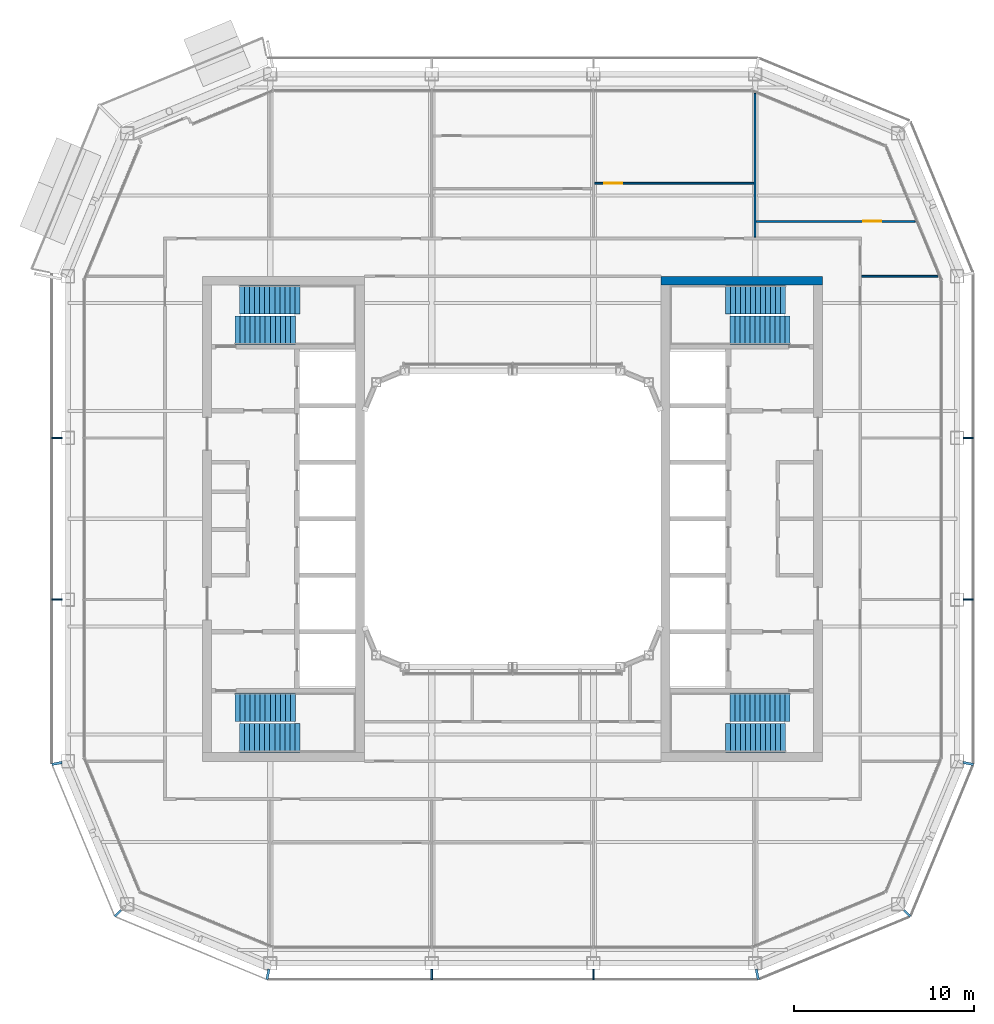
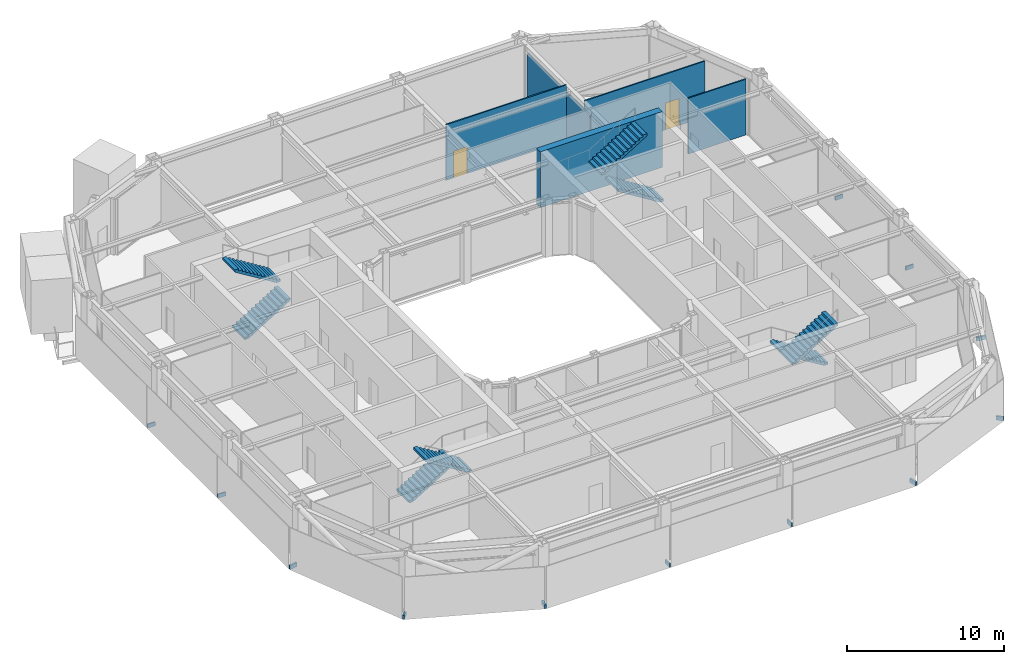
# One storey, part 14 of 21: 12 discrete accessories, 8 stair flights, 5 walls, 2 doors, 2 openings, 4 elements without a shape of their own.
"""IFC4 building model written with IfcOpenShell, lengths in metres."""

from ifc_helpers import new_model, si_unit, direction, frame, frame_2d, origin, origin_2d, place, context, subcontext, project, spatial, polyline, rectangle, outline, extrude, material, layer, layer_set, type_object, element, fill, aggregate, save


model = new_model("IFC4")

# Units and contexts
model_context = context("Model", 3, precision=1e-05, world=origin(), true_north=direction((0.0, 1.0)))
body_context = subcontext(model_context, "Body", "Model", "MODEL_VIEW")
ifc_project = project(units=[si_unit("LENGTHUNIT", "METRE"), si_unit("AREAUNIT", "SQUARE_METRE"), si_unit("VOLUMEUNIT", "CUBIC_METRE"), si_unit("PLANEANGLEUNIT", "RADIAN"), si_unit("MASSUNIT", "GRAM", prefix="KILO")], contexts=[model_context])

# Site, building, storey
site_placement = place(None, origin())
site = spatial("IfcSite", under=ifc_project, at=site_placement, CompositionType="ELEMENT")
building_placement = place(site_placement, origin())
building = spatial("IfcBuilding", under=site, at=building_placement, Name="Siwar Civic Tower", CompositionType="ELEMENT")
storey_placement = place(building_placement, frame((0.0, 0.0, 312.199951171875)))
storey = spatial("IfcBuildingStorey", under=building, at=storey_placement, Name="L67", CompositionType="ELEMENT", Elevation=312.199951171875)

# Walls
ifc_material_1 = material(Name="Concrete C60/75", Category="concrete")
ifc_layer_1 = layer(ifc_material_1, 0.5)
ifc_layer_set_1 = layer_set([ifc_layer_1], Name="Concrete C60/75")
wall_type_1 = type_object("IfcWallType", Name="CORE-WALL-RC500", PredefinedType="SHEAR", material=ifc_layer_set_1)
wall_1_placement = place(storey_placement, frame((8.25, 13.25, 0.0), z_axis=(0.0, 0.0, 1.0), x_axis=(1.0, 0.0, 0.0)))
element("IfcWall", 1, at=wall_1_placement, inside=storey, type_object=wall_type_1, Name="Core wall E", PredefinedType="SHEAR", context=body_context, shape_type="SweptSolid", body=[
    extrude(rectangle(XDim=9.0, YDim=0.5, at=frame_2d((4.5, 0.0))), origin(), (0.0, 0.0, 1.0), 4.35009765625),
])
ifc_material_2 = material(Name="Gypsum board on steel studs", Category="steel")
ifc_layer_2 = layer(ifc_material_2, 0.10009765625)
ifc_layer_set_2 = layer_set([ifc_layer_2], Name="Gypsum board on steel studs")
wall_type_2 = type_object("IfcWallType", Name="PARTITION 100 GYPSUM", PredefinedType="PARTITIONING", material=ifc_layer_set_2)
wall_2_placement = place(storey_placement, frame((19.425048828125, 13.5, 0.0), z_axis=(0.0, 0.0, 1.0), x_axis=(1.0, 0.0, 0.0)))
element("IfcWall", 2, at=wall_2_placement, inside=storey, type_object=wall_type_2, Name="L67/wall/P13", PredefinedType="PARTITIONING", context=body_context, shape_type="SweptSolid", body=[
    extrude(rectangle(XDim=4.2529296875, YDim=0.10009765625, at=frame_2d((2.12646484375, 0.0))), origin(), (0.0, 0.0, 1.0), 4.35009765625),
])

# Wall, opening, door
wall_3_placement = place(storey_placement, frame((13.550048828125, 16.552978515625, 0.0), z_axis=(0.0, 0.0, 1.0), x_axis=(1.0, 0.0, 0.0)))
wall_3 = element("IfcWall", 3, at=wall_3_placement, inside=storey, type_object=wall_type_2, Name="L67/wall/P16", PredefinedType="PARTITIONING", context=body_context, shape_type="SweptSolid", body=[
    extrude(rectangle(XDim=8.863037109375, YDim=0.10009765625, at=frame_2d((4.431640625, 0.0))), origin(), (0.0, 0.0, 1.0), 4.35009765625),
])
opening_1_placement = place(wall_3_placement, frame((5.962890625, 0.0, 0.0)))
opening_1 = element("IfcOpeningElement", 4, at=opening_1_placement, cuts=wall_3, Name="Opening D2", PredefinedType="OPENING", context=body_context, shape_type="SweptSolid", body=[
    extrude(rectangle(XDim=1.0, YDim=2.10009765625, at=frame_2d((0.5, 1.050048828125))), frame((0.0, 0.06005859375, 0.0), z_axis=(0.0, -1.0, 0.0), x_axis=(1.0, 0.0, 0.0)), (0.0, 0.0, 1.0), 0.1201171875),
])
ifc_material_3 = material(Name="Timber, painted", Category="wood")
door_type = type_object("IfcDoorType", Name="DOOR 1000 X 2100", OperationType="SINGLE_SWING_LEFT", PredefinedType="DOOR", material=ifc_material_3)
door_1_placement = place(opening_1_placement, origin())
door_1 = element("IfcDoor", 5, at=door_1_placement, inside=storey, type_object=door_type, Name="L67-D14", OperationType="SINGLE_SWING_LEFT", OverallHeight=2.10009765625, OverallWidth=1.0, PredefinedType="DOOR", context=body_context, shape_type="SweptSolid", body=[
    extrude(rectangle(XDim=1.0, YDim=2.10009765625, at=frame_2d((0.5, 1.050048828125))), frame((0.0, 0.02490234375, 0.0), z_axis=(0.0, -1.0, 0.0), x_axis=(1.0, 0.0, 0.0)), (0.0, 0.0, 1.0), 0.050048828125),
])
fill(opening_1, door_1)

wall_4_placement = place(storey_placement, frame((4.550048828125, 18.679931640625, 0.0), z_axis=(0.0, 0.0, 1.0), x_axis=(1.0, 0.0, 0.0)))
wall_4 = element("IfcWall", 6, at=wall_4_placement, inside=storey, type_object=wall_type_2, Name="L67/wall/P18", PredefinedType="PARTITIONING", context=body_context, shape_type="SweptSolid", body=[
    extrude(rectangle(XDim=8.89990234375, YDim=0.10009765625, at=frame_2d((4.449951171875, 0.0))), origin(), (0.0, 0.0, 1.0), 4.35009765625),
])
opening_2_placement = place(wall_4_placement, frame((0.550048828125, 0.0, 0.0)))
opening_2 = element("IfcOpeningElement", 7, at=opening_2_placement, cuts=wall_4, Name="Opening D2", PredefinedType="OPENING", context=body_context, shape_type="SweptSolid", body=[
    extrude(rectangle(XDim=1.0, YDim=2.10009765625, at=frame_2d((0.5, 1.050048828125))), frame((0.0, 0.06005859375, 0.0), z_axis=(0.0, -1.0, 0.0), x_axis=(1.0, 0.0, 0.0)), (0.0, 0.0, 1.0), 0.1201171875),
])
door_2_placement = place(opening_2_placement, origin())
door_2 = element("IfcDoor", 8, at=door_2_placement, inside=storey, type_object=door_type, Name="L67-D06", OperationType="SINGLE_SWING_RIGHT", OverallHeight=2.10009765625, OverallWidth=1.0, PredefinedType="DOOR", context=body_context, shape_type="SweptSolid", body=[
    extrude(rectangle(XDim=1.0, YDim=2.10009765625, at=frame_2d((0.5, 1.050048828125))), frame((0.0, 0.02490234375, 0.0), z_axis=(0.0, -1.0, 0.0), x_axis=(1.0, 0.0, 0.0)), (0.0, 0.0, 1.0), 0.050048828125),
])
fill(opening_2, door_2)

# Wall
wall_5_placement = place(storey_placement, frame((13.5, 15.675048828125, 0.0), z_axis=(0.0, 0.0, 1.0), x_axis=(0.0, 1.0, 0.0)))
element("IfcWall", 9, at=wall_5_placement, inside=storey, type_object=wall_type_2, Name="L67/wall/P32", PredefinedType="PARTITIONING", context=body_context, shape_type="SweptSolid", body=[
    extrude(rectangle(XDim=8.0029296875, YDim=0.10009765625, at=frame_2d((4.00146484375, 0.0))), origin(), (0.0, 0.0, 1.0), 3.75),
])

# Stair, stair flights
ifc_material_4 = material(Name="Concrete C40/50", Category="concrete")
stair_type = type_object("IfcStairType", Name="CORE-STAIR", PredefinedType="TWO_STRAIGHT_RUN_STAIR", material=ifc_material_4)
stair_1_placement = place(storey_placement, origin())
stair_1 = element("IfcStair", 10, at=stair_1_placement, inside=storey, type_object=stair_type, Name="Exit stair ST1", PredefinedType="TWO_STRAIGHT_RUN_STAIR")
ifc_material_5 = material(Name="Concrete C40/50", Category="concrete")
stair_flight_type = type_object("IfcStairFlightType", Name="CORE-STAIR-FLIGHT", PredefinedType="STRAIGHT", material=ifc_material_5)
stair_flight_1_placement = place(storey_placement, frame((-15.449951171875, 10.5, 0.0), z_axis=(0.0, 0.0, 1.0), x_axis=(1.0, 0.0, 0.0)))
stair_flight_1 = element("IfcStairFlight", 11, at=stair_flight_1_placement, type_object=stair_flight_type, Name="ST1 flight 1", NumberOfRisers=13, NumberOfTreads=12, PredefinedType="STRAIGHT", RiserHeight=0.173076923, TreadLength=0.28, context=body_context, shape_type="SweptSolid", body=[
    extrude(outline(polyline([(0.0, 0.0), (0.0, 0.173095703125), (0.280029296875, 0.173095703125), (0.280029296875, 0.34619140625), (0.56005859375, 0.34619140625), (0.56005859375, 0.519287109375), (0.840087890625, 0.519287109375), (0.840087890625, 0.6923828125), (1.1201171875, 0.6923828125), (1.1201171875, 0.865478515625), (1.39990234375, 0.865478515625), (1.39990234375, 1.03857421875), (1.679931640625, 1.03857421875), (1.679931640625, 1.21142578125), (1.9599609375, 1.21142578125), (1.9599609375, 1.384521484375), (2.239990234375, 1.384521484375), (2.239990234375, 1.5576171875), (2.52001953125, 1.5576171875), (2.52001953125, 1.730712890625), (2.800048828125, 1.730712890625), (2.800048828125, 1.90380859375), (3.080078125, 1.90380859375), (3.080078125, 2.076904296875), (3.360107421875, 2.076904296875), (3.360107421875, 2.25), (3.360107421875, 1.900634765625), (0.28515625, 0.0), (0.0, 0.0)])), frame((0.0, 0.800048828125, 0.0), z_axis=(0.0, -1.0, 0.0), x_axis=(1.0, 0.0, 0.0)), (0.0, 0.0, 1.0), 1.60009765625),
])
stair_flight_2_placement = place(storey_placement, frame((-11.840087890625, 12.199951171875, 2.25), z_axis=(0.0, 0.0, 1.0), x_axis=(-1.0, 0.0, 0.0)))
stair_flight_2 = element("IfcStairFlight", 12, at=stair_flight_2_placement, type_object=stair_flight_type, Name="ST1 flight 2", NumberOfRisers=13, NumberOfTreads=12, PredefinedType="STRAIGHT", RiserHeight=0.173076923, TreadLength=0.28, context=body_context, shape_type="SweptSolid", body=[
    extrude(outline(polyline([(0.0, 0.0), (0.0, 0.173095703125), (0.280029296875, 0.173095703125), (0.280029296875, 0.34619140625), (0.56005859375, 0.34619140625), (0.56005859375, 0.519287109375), (0.840087890625, 0.519287109375), (0.840087890625, 0.6923828125), (1.1201171875, 0.6923828125), (1.1201171875, 0.865478515625), (1.39990234375, 0.865478515625), (1.39990234375, 1.03857421875), (1.679931640625, 1.03857421875), (1.679931640625, 1.21142578125), (1.9599609375, 1.21142578125), (1.9599609375, 1.384521484375), (2.239990234375, 1.384521484375), (2.239990234375, 1.5576171875), (2.52001953125, 1.5576171875), (2.52001953125, 1.730712890625), (2.800048828125, 1.730712890625), (2.800048828125, 1.90380859375), (3.080078125, 1.90380859375), (3.080078125, 2.076904296875), (3.360107421875, 2.076904296875), (3.360107421875, 2.25), (3.360107421875, 1.900634765625), (0.28515625, 0.0), (0.0, 0.0)])), frame((0.0, 0.800048828125, 0.0), z_axis=(0.0, -1.0, 0.0), x_axis=(1.0, 0.0, 0.0)), (0.0, 0.0, 1.0), 1.60009765625),
])
aggregate(stair_1, [stair_flight_1, stair_flight_2])

stair_2_placement = place(storey_placement, origin())
stair_2 = element("IfcStair", 13, at=stair_2_placement, inside=storey, type_object=stair_type, Name="Exit stair ST2", PredefinedType="TWO_STRAIGHT_RUN_STAIR")
stair_flight_3_placement = place(storey_placement, frame((-15.449951171875, -10.5, 0.0), z_axis=(0.0, 0.0, 1.0), x_axis=(1.0, 0.0, 0.0)))
stair_flight_3 = element("IfcStairFlight", 14, at=stair_flight_3_placement, type_object=stair_flight_type, Name="ST2 flight 1", NumberOfRisers=13, NumberOfTreads=12, PredefinedType="STRAIGHT", RiserHeight=0.173076923, TreadLength=0.28, context=body_context, shape_type="SweptSolid", body=[
    extrude(outline(polyline([(0.0, 0.0), (0.0, 0.173095703125), (0.280029296875, 0.173095703125), (0.280029296875, 0.34619140625), (0.56005859375, 0.34619140625), (0.56005859375, 0.519287109375), (0.840087890625, 0.519287109375), (0.840087890625, 0.6923828125), (1.1201171875, 0.6923828125), (1.1201171875, 0.865478515625), (1.39990234375, 0.865478515625), (1.39990234375, 1.03857421875), (1.679931640625, 1.03857421875), (1.679931640625, 1.21142578125), (1.9599609375, 1.21142578125), (1.9599609375, 1.384521484375), (2.239990234375, 1.384521484375), (2.239990234375, 1.5576171875), (2.52001953125, 1.5576171875), (2.52001953125, 1.730712890625), (2.800048828125, 1.730712890625), (2.800048828125, 1.90380859375), (3.080078125, 1.90380859375), (3.080078125, 2.076904296875), (3.360107421875, 2.076904296875), (3.360107421875, 2.25), (3.360107421875, 1.900634765625), (0.28515625, 0.0), (0.0, 0.0)])), frame((0.0, 0.800048828125, 0.0), z_axis=(0.0, -1.0, 0.0), x_axis=(1.0, 0.0, 0.0)), (0.0, 0.0, 1.0), 1.60009765625),
])
stair_flight_4_placement = place(storey_placement, frame((-11.840087890625, -12.199951171875, 2.25), z_axis=(0.0, 0.0, 1.0), x_axis=(-1.0, 0.0, 0.0)))
stair_flight_4 = element("IfcStairFlight", 15, at=stair_flight_4_placement, type_object=stair_flight_type, Name="ST2 flight 2", NumberOfRisers=13, NumberOfTreads=12, PredefinedType="STRAIGHT", RiserHeight=0.173076923, TreadLength=0.28, context=body_context, shape_type="SweptSolid", body=[
    extrude(outline(polyline([(0.0, 0.0), (0.0, 0.173095703125), (0.280029296875, 0.173095703125), (0.280029296875, 0.34619140625), (0.56005859375, 0.34619140625), (0.56005859375, 0.519287109375), (0.840087890625, 0.519287109375), (0.840087890625, 0.6923828125), (1.1201171875, 0.6923828125), (1.1201171875, 0.865478515625), (1.39990234375, 0.865478515625), (1.39990234375, 1.03857421875), (1.679931640625, 1.03857421875), (1.679931640625, 1.21142578125), (1.9599609375, 1.21142578125), (1.9599609375, 1.384521484375), (2.239990234375, 1.384521484375), (2.239990234375, 1.5576171875), (2.52001953125, 1.5576171875), (2.52001953125, 1.730712890625), (2.800048828125, 1.730712890625), (2.800048828125, 1.90380859375), (3.080078125, 1.90380859375), (3.080078125, 2.076904296875), (3.360107421875, 2.076904296875), (3.360107421875, 2.25), (3.360107421875, 1.900634765625), (0.28515625, 0.0), (0.0, 0.0)])), frame((0.0, 0.800048828125, 0.0), z_axis=(0.0, -1.0, 0.0), x_axis=(1.0, 0.0, 0.0)), (0.0, 0.0, 1.0), 1.60009765625),
])
aggregate(stair_2, [stair_flight_3, stair_flight_4])

stair_3_placement = place(storey_placement, origin())
stair_3 = element("IfcStair", 16, at=stair_3_placement, inside=storey, type_object=stair_type, Name="Exit stair ST3", PredefinedType="TWO_STRAIGHT_RUN_STAIR")
stair_flight_5_placement = place(storey_placement, frame((15.449951171875, 10.5, 0.0), z_axis=(0.0, 0.0, 1.0), x_axis=(-1.0, 0.0, 0.0)))
stair_flight_5 = element("IfcStairFlight", 17, at=stair_flight_5_placement, type_object=stair_flight_type, Name="ST3 flight 1", NumberOfRisers=13, NumberOfTreads=12, PredefinedType="STRAIGHT", RiserHeight=0.173076923, TreadLength=0.28, context=body_context, shape_type="SweptSolid", body=[
    extrude(outline(polyline([(0.0, 0.0), (0.0, 0.173095703125), (0.280029296875, 0.173095703125), (0.280029296875, 0.34619140625), (0.56005859375, 0.34619140625), (0.56005859375, 0.519287109375), (0.840087890625, 0.519287109375), (0.840087890625, 0.6923828125), (1.1201171875, 0.6923828125), (1.1201171875, 0.865478515625), (1.39990234375, 0.865478515625), (1.39990234375, 1.03857421875), (1.679931640625, 1.03857421875), (1.679931640625, 1.21142578125), (1.9599609375, 1.21142578125), (1.9599609375, 1.384521484375), (2.239990234375, 1.384521484375), (2.239990234375, 1.5576171875), (2.52001953125, 1.5576171875), (2.52001953125, 1.730712890625), (2.800048828125, 1.730712890625), (2.800048828125, 1.90380859375), (3.080078125, 1.90380859375), (3.080078125, 2.076904296875), (3.360107421875, 2.076904296875), (3.360107421875, 2.25), (3.360107421875, 1.900634765625), (0.28515625, 0.0), (0.0, 0.0)])), frame((0.0, 0.800048828125, 0.0), z_axis=(0.0, -1.0, 0.0), x_axis=(1.0, 0.0, 0.0)), (0.0, 0.0, 1.0), 1.60009765625),
])
stair_flight_6_placement = place(storey_placement, frame((11.840087890625, 12.199951171875, 2.25), z_axis=(0.0, 0.0, 1.0), x_axis=(1.0, 0.0, 0.0)))
stair_flight_6 = element("IfcStairFlight", 18, at=stair_flight_6_placement, type_object=stair_flight_type, Name="ST3 flight 2", NumberOfRisers=13, NumberOfTreads=12, PredefinedType="STRAIGHT", RiserHeight=0.173076923, TreadLength=0.28, context=body_context, shape_type="SweptSolid", body=[
    extrude(outline(polyline([(0.0, 0.0), (0.0, 0.173095703125), (0.280029296875, 0.173095703125), (0.280029296875, 0.34619140625), (0.56005859375, 0.34619140625), (0.56005859375, 0.519287109375), (0.840087890625, 0.519287109375), (0.840087890625, 0.6923828125), (1.1201171875, 0.6923828125), (1.1201171875, 0.865478515625), (1.39990234375, 0.865478515625), (1.39990234375, 1.03857421875), (1.679931640625, 1.03857421875), (1.679931640625, 1.21142578125), (1.9599609375, 1.21142578125), (1.9599609375, 1.384521484375), (2.239990234375, 1.384521484375), (2.239990234375, 1.5576171875), (2.52001953125, 1.5576171875), (2.52001953125, 1.730712890625), (2.800048828125, 1.730712890625), (2.800048828125, 1.90380859375), (3.080078125, 1.90380859375), (3.080078125, 2.076904296875), (3.360107421875, 2.076904296875), (3.360107421875, 2.25), (3.360107421875, 1.900634765625), (0.28515625, 0.0), (0.0, 0.0)])), frame((0.0, 0.800048828125, 0.0), z_axis=(0.0, -1.0, 0.0), x_axis=(1.0, 0.0, 0.0)), (0.0, 0.0, 1.0), 1.60009765625),
])
aggregate(stair_3, [stair_flight_5, stair_flight_6])

stair_4_placement = place(storey_placement, origin())
stair_4 = element("IfcStair", 19, at=stair_4_placement, inside=storey, type_object=stair_type, Name="Exit stair ST4", PredefinedType="TWO_STRAIGHT_RUN_STAIR")
stair_flight_7_placement = place(storey_placement, frame((15.449951171875, -10.5, 0.0), z_axis=(0.0, 0.0, 1.0), x_axis=(-1.0, 0.0, 0.0)))
stair_flight_7 = element("IfcStairFlight", 20, at=stair_flight_7_placement, type_object=stair_flight_type, Name="ST4 flight 1", NumberOfRisers=13, NumberOfTreads=12, PredefinedType="STRAIGHT", RiserHeight=0.173076923, TreadLength=0.28, context=body_context, shape_type="SweptSolid", body=[
    extrude(outline(polyline([(0.0, 0.0), (0.0, 0.173095703125), (0.280029296875, 0.173095703125), (0.280029296875, 0.34619140625), (0.56005859375, 0.34619140625), (0.56005859375, 0.519287109375), (0.840087890625, 0.519287109375), (0.840087890625, 0.6923828125), (1.1201171875, 0.6923828125), (1.1201171875, 0.865478515625), (1.39990234375, 0.865478515625), (1.39990234375, 1.03857421875), (1.679931640625, 1.03857421875), (1.679931640625, 1.21142578125), (1.9599609375, 1.21142578125), (1.9599609375, 1.384521484375), (2.239990234375, 1.384521484375), (2.239990234375, 1.5576171875), (2.52001953125, 1.5576171875), (2.52001953125, 1.730712890625), (2.800048828125, 1.730712890625), (2.800048828125, 1.90380859375), (3.080078125, 1.90380859375), (3.080078125, 2.076904296875), (3.360107421875, 2.076904296875), (3.360107421875, 2.25), (3.360107421875, 1.900634765625), (0.28515625, 0.0), (0.0, 0.0)])), frame((0.0, 0.800048828125, 0.0), z_axis=(0.0, -1.0, 0.0), x_axis=(1.0, 0.0, 0.0)), (0.0, 0.0, 1.0), 1.60009765625),
])
stair_flight_8_placement = place(storey_placement, frame((11.840087890625, -12.199951171875, 2.25), z_axis=(0.0, 0.0, 1.0), x_axis=(1.0, 0.0, 0.0)))
stair_flight_8 = element("IfcStairFlight", 21, at=stair_flight_8_placement, type_object=stair_flight_type, Name="ST4 flight 2", NumberOfRisers=13, NumberOfTreads=12, PredefinedType="STRAIGHT", RiserHeight=0.173076923, TreadLength=0.28, context=body_context, shape_type="SweptSolid", body=[
    extrude(outline(polyline([(0.0, 0.0), (0.0, 0.173095703125), (0.280029296875, 0.173095703125), (0.280029296875, 0.34619140625), (0.56005859375, 0.34619140625), (0.56005859375, 0.519287109375), (0.840087890625, 0.519287109375), (0.840087890625, 0.6923828125), (1.1201171875, 0.6923828125), (1.1201171875, 0.865478515625), (1.39990234375, 0.865478515625), (1.39990234375, 1.03857421875), (1.679931640625, 1.03857421875), (1.679931640625, 1.21142578125), (1.9599609375, 1.21142578125), (1.9599609375, 1.384521484375), (2.239990234375, 1.384521484375), (2.239990234375, 1.5576171875), (2.52001953125, 1.5576171875), (2.52001953125, 1.730712890625), (2.800048828125, 1.730712890625), (2.800048828125, 1.90380859375), (3.080078125, 1.90380859375), (3.080078125, 2.076904296875), (3.360107421875, 2.076904296875), (3.360107421875, 2.25), (3.360107421875, 1.900634765625), (0.28515625, 0.0), (0.0, 0.0)])), frame((0.0, 0.800048828125, 0.0), z_axis=(0.0, -1.0, 0.0), x_axis=(1.0, 0.0, 0.0)), (0.0, 0.0, 1.0), 1.60009765625),
])
aggregate(stair_4, [stair_flight_7, stair_flight_8])

# Discrete accessories
ifc_material_6 = material(Name="Stainless steel 316", Category="steel")
discrete_accessory_type = type_object("IfcDiscreteAccessoryType", Name="ENV-BRACKET", PredefinedType="BRACKET", material=ifc_material_6)
for number, where, z_axis, x_axis, name in (
    (22, (25.364990234375, -4.5, -0.14990234375), (0.0, 0.0, 1.0), (1.0, 0.0, 0.0), "Bracket outer skin joint E-01"),
    (23, (25.364990234375, 4.5, -0.14990234375), (0.0, 0.0, 1.0), (1.0, 0.0, 0.0), "Bracket outer skin joint E-02"),
    (24, (-4.5, -25.364990234375, -0.14990234375), (0.0, 0.0, 1.0), (0.0, -1.0, 0.0), "Bracket outer skin joint S-01"),
    (25, (4.5, -25.364990234375, -0.14990234375), (0.0, 0.0, 1.0), (0.0, -1.0, 0.0), "Bracket outer skin joint S-02"),
):
    element("IfcDiscreteAccessory", number, at=place(storey_placement, frame(where, z_axis=z_axis, x_axis=x_axis)), inside=storey, type_object=discrete_accessory_type, Name=name, PredefinedType="BRACKET", context=body_context, shape_type="SweptSolid", body=[
        extrude(rectangle(XDim=0.570068359375, YDim=0.10009765625, at=origin_2d()), origin(), (0.0, 0.0, 1.0), 0.300048828125),
    ])
for number, where, z_axis, x_axis, name in (
    (26, (-13.622314453125, -25.365234375, -0.14990234375), (0.0, 0.0, 1.0), (-0.195090322016, -0.980785280403, 0.0), "Bracket outer skin joint V00"),
    (27, (13.622314453125, -25.365234375, -0.14990234375), (0.0, 0.0, 1.0), (0.195090322016, -0.980785280403, 0.0), "Bracket outer skin joint V01"),
):
    element("IfcDiscreteAccessory", number, at=place(storey_placement, frame(where, z_axis=z_axis, x_axis=x_axis)), inside=storey, type_object=discrete_accessory_type, Name=name, PredefinedType="BRACKET", context=body_context, shape_type="SweptSolid", body=[
        extrude(rectangle(XDim=0.580810546875, YDim=0.13720703125, at=origin_2d()), origin(), (0.0, 0.0, 1.0), 0.300048828125),
    ])
discrete_accessory_1_placement = place(storey_placement, frame((21.96728515625, -21.96728515625, -0.14990234375), z_axis=(0.0, 0.0, 1.0), x_axis=(0.707106781187, -0.707106781187, 0.0)))
element("IfcDiscreteAccessory", 28, at=discrete_accessory_1_placement, inside=storey, type_object=discrete_accessory_type, Name="Bracket outer skin joint V02", PredefinedType="BRACKET", context=body_context, shape_type="SweptSolid", body=[
    extrude(rectangle(XDim=0.499267578125, YDim=0.12939453125, at=origin_2d()), origin(), (0.0, 0.0, 1.0), 0.300048828125),
])
for number, where, z_axis, x_axis, name in (
    (29, (25.365234375, -13.622314453125, -0.14990234375), (0.0, 0.0, 1.0), (0.980785280403, -0.195090322016, 0.0), "Bracket outer skin joint V03"),
    (30, (-25.365234375, -13.622314453125, -0.14990234375), (0.0, 0.0, 1.0), (-0.980785280403, -0.195090322016, 0.0), "Bracket outer skin joint V10"),
):
    element("IfcDiscreteAccessory", number, at=place(storey_placement, frame(where, z_axis=z_axis, x_axis=x_axis)), inside=storey, type_object=discrete_accessory_type, Name=name, PredefinedType="BRACKET", context=body_context, shape_type="SweptSolid", body=[
        extrude(rectangle(XDim=0.580810546875, YDim=0.13720703125, at=origin_2d()), origin(), (0.0, 0.0, 1.0), 0.300048828125),
    ])
discrete_accessory_2_placement = place(storey_placement, frame((-21.96728515625, -21.96728515625, -0.14990234375), z_axis=(0.0, 0.0, 1.0), x_axis=(-0.707106781187, -0.707106781187, 0.0)))
element("IfcDiscreteAccessory", 31, at=discrete_accessory_2_placement, inside=storey, type_object=discrete_accessory_type, Name="Bracket outer skin joint V11", PredefinedType="BRACKET", context=body_context, shape_type="SweptSolid", body=[
    extrude(rectangle(XDim=0.499267578125, YDim=0.12939453125, at=origin_2d()), origin(), (0.0, 0.0, 1.0), 0.300048828125),
])
for number, where, z_axis, x_axis, name in (
    (32, (-25.364990234375, 4.5, -0.14990234375), (0.0, 0.0, 1.0), (-1.0, 0.0, 0.0), "Bracket outer skin joint W-01"),
    (33, (-25.364990234375, -4.5, -0.14990234375), (0.0, 0.0, 1.0), (-1.0, 0.0, 0.0), "Bracket outer skin joint W-02"),
):
    element("IfcDiscreteAccessory", number, at=place(storey_placement, frame(where, z_axis=z_axis, x_axis=x_axis)), inside=storey, type_object=discrete_accessory_type, Name=name, PredefinedType="BRACKET", context=body_context, shape_type="SweptSolid", body=[
        extrude(rectangle(XDim=0.570068359375, YDim=0.10009765625, at=origin_2d()), origin(), (0.0, 0.0, 1.0), 0.300048828125),
    ])

save(model, "model.ifc")
